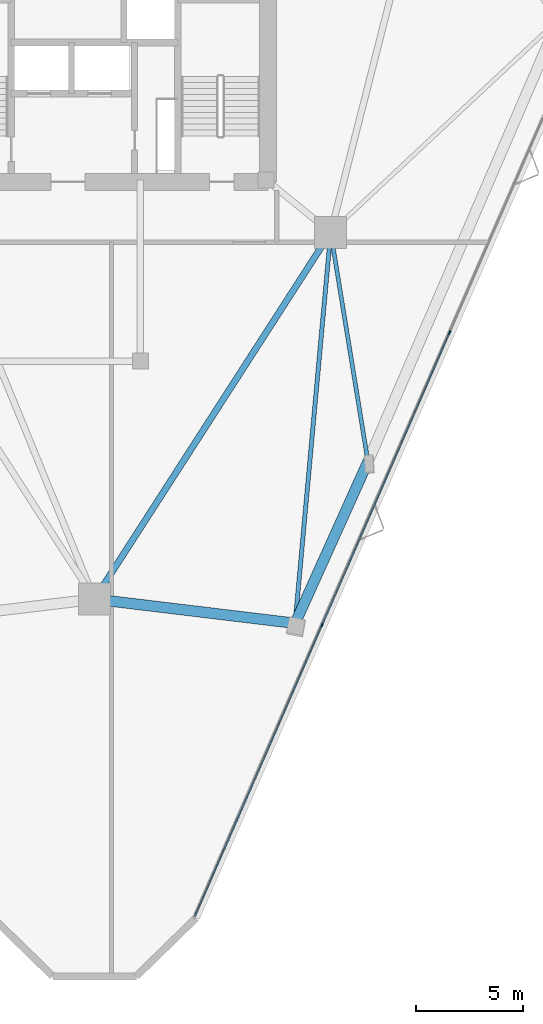
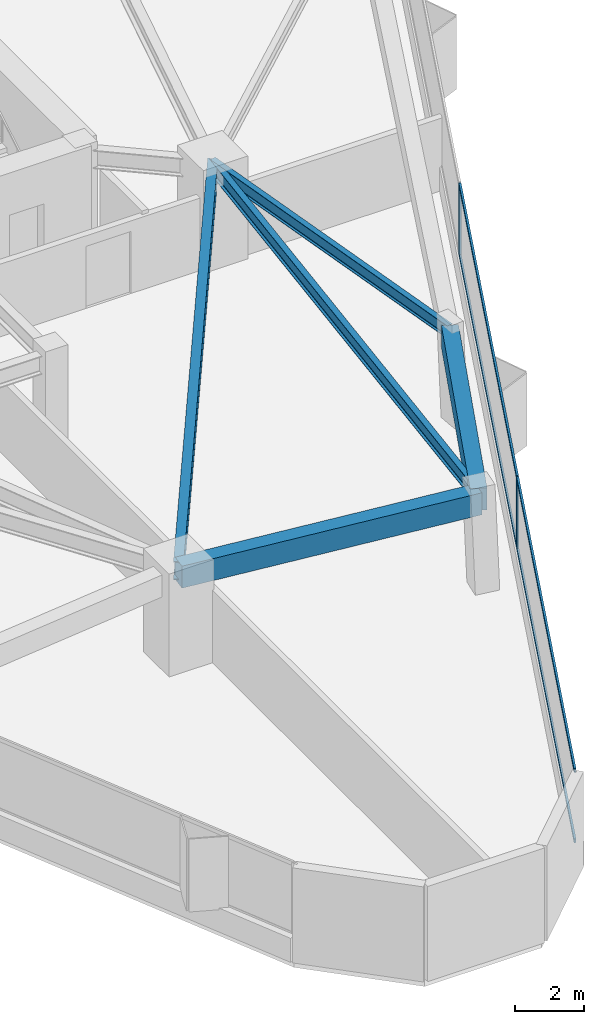
# One storey, part 3 of 14: 6 members, 5 beams, 1 element without a shape of its own.
"""IFC4 building model written with IfcOpenShell, lengths in metres."""

from ifc_helpers import new_model, si_unit, direction, frame, origin, origin_2d, place, context, subcontext, project, spatial, rectangle, i_section, extrude, material, layer, layer_set, material_profile, profile_set, type_object, element, aggregate, save


model = new_model("IFC4")

# Units and contexts
model_context = context("Model", 3, precision=1e-05, world=origin(), true_north=direction((0.0, 1.0)))
body_context = subcontext(model_context, "Body", "Model", "MODEL_VIEW")
ifc_project = project(units=[si_unit("LENGTHUNIT", "METRE"), si_unit("AREAUNIT", "SQUARE_METRE"), si_unit("VOLUMEUNIT", "CUBIC_METRE"), si_unit("PLANEANGLEUNIT", "RADIAN"), si_unit("MASSUNIT", "GRAM", prefix="KILO")], contexts=[model_context])

# Site, building, storey
site_placement = place(None, origin())
site = spatial("IfcSite", under=ifc_project, at=site_placement, CompositionType="ELEMENT")
building_placement = place(site_placement, origin())
building = spatial("IfcBuilding", under=site, at=building_placement, Name="Talyreon Biosciences Tower", CompositionType="ELEMENT")
storey_placement = place(building_placement, frame((0.0, 0.0, 138.14990234375)))
storey = spatial("IfcBuildingStorey", under=building, at=storey_placement, Name="L36", CompositionType="ELEMENT", Elevation=138.14990234375)

# Curtain wall, members
ifc_material_1 = material(Name="Thermally broken aluminium and low-E glazing", Category="aluminium")
ifc_layer = layer(ifc_material_1, 0.18505859375)
ifc_layer_set = layer_set([ifc_layer], Name="Thermally broken aluminium and low-E glazing")
curtain_wall_type = type_object("IfcCurtainWallType", Name="CurtainWall_Zone3Bioprocess", PredefinedType="NOTDEFINED", material=ifc_layer_set)
curtain_wall_placement = place(storey_placement, origin())
curtain_wall = element("IfcCurtainWall", 1, at=curtain_wall_placement, inside=storey, type_object=curtain_wall_type, Name="L36 Unitised Curtain Wall FCW-L36-08", PredefinedType="NOTDEFINED")
ifc_material_2 = material(Name="Anodised thermally broken aluminium", Category="aluminium")
ifc_material_profile_1 = material_profile(ifc_material_2, rectangle(XDim=0.06494140625, YDim=0.179931640625, at=origin_2d()), Name="ALUM MULLION 65x180")
ifc_profile_set_1 = profile_set([ifc_material_profile_1], Name="Anodised thermally broken aluminium")
member_type_1 = type_object("IfcMemberType", Name="CWMullion_65x180", PredefinedType="MULLION", material=ifc_profile_set_1)
member_1_placement = place(storey_placement, frame((82.671630859375, 54.18212890625, 0.81005859375), z_axis=(0.0, 0.0, 1.0), x_axis=(0.916566441856, -0.399882429801, 0.0)))
member_1 = element("IfcMember", 2, at=member_1_placement, type_object=member_type_1, Name="CW4 mullion 3", PredefinedType="MULLION", context=body_context, shape_type="SweptSolid", body=[
    extrude(rectangle(XDim=0.06494140625, YDim=0.179931640625, at=origin_2d()), origin(), (0.0, 0.0, 1.0), 2.56494140625),
])
member_2_placement = place(storey_placement, frame((76.68212890625, 40.453857421875, 0.81005859375), z_axis=(0.0, 0.0, 1.0), x_axis=(0.916566441856, -0.399882429801, 0.0)))
member_2 = element("IfcMember", 3, at=member_2_placement, type_object=member_type_1, Name="CW4 mullion 4", PredefinedType="MULLION", context=body_context, shape_type="SweptSolid", body=[
    extrude(rectangle(XDim=0.06494140625, YDim=0.179931640625, at=origin_2d()), origin(), (0.0, 0.0, 1.0), 2.56494140625),
])
ifc_material_profile_2 = material_profile(ifc_material_2, rectangle(XDim=0.06494140625, YDim=0.139892578125, at=origin_2d()), Name="ALUM TRANSOM 65x140")
ifc_profile_set_2 = profile_set([ifc_material_profile_2], Name="Anodised thermally broken aluminium")
member_type_2 = type_object("IfcMemberType", Name="CWTransom_65x140", PredefinedType="USERDEFINED", material=ifc_profile_set_2)
member_3_placement = place(storey_placement, frame((82.65869140625, 54.15234375, 0.842529296875), z_axis=(-0.399879943614, -0.916567526533, 0.0), x_axis=(0.916567526533, -0.399879943614, 0.0)))
member_3 = element("IfcMember", 4, at=member_3_placement, type_object=member_type_2, Name="CW4 transom 3.1", ObjectType="TRANSOM", PredefinedType="USERDEFINED", context=body_context, shape_type="SweptSolid", body=[
    extrude(rectangle(XDim=0.06494140625, YDim=0.139892578125, at=origin_2d()), origin(), (0.0, 0.0, 1.0), 14.912841796875),
])
member_4_placement = place(storey_placement, frame((82.65869140625, 54.15234375, 3.342529296875), z_axis=(-0.399879943614, -0.916567526533, 0.0), x_axis=(0.916567526533, -0.399879943614, 0.0)))
member_4 = element("IfcMember", 5, at=member_4_placement, type_object=member_type_2, Name="CW4 transom 3.2", ObjectType="TRANSOM", PredefinedType="USERDEFINED", context=body_context, shape_type="SweptSolid", body=[
    extrude(rectangle(XDim=0.06494140625, YDim=0.139892578125, at=origin_2d()), origin(), (0.0, 0.0, 1.0), 14.912841796875),
])
member_5_placement = place(storey_placement, frame((76.669189453125, 40.424072265625, 0.842529296875), z_axis=(-0.39988306059, -0.916566166653, 0.0), x_axis=(0.916566166653, -0.39988306059, 0.0)))
member_5 = element("IfcMember", 6, at=member_5_placement, type_object=member_type_2, Name="CW4 transom 4.1", ObjectType="TRANSOM", PredefinedType="USERDEFINED", context=body_context, shape_type="SweptSolid", body=[
    extrude(rectangle(XDim=0.06494140625, YDim=0.139892578125, at=origin_2d()), origin(), (0.0, 0.0, 1.0), 14.88037109375),
])
member_6_placement = place(storey_placement, frame((76.669189453125, 40.424072265625, 3.342529296875), z_axis=(-0.39988306059, -0.916566166653, 0.0), x_axis=(0.916566166653, -0.39988306059, 0.0)))
member_6 = element("IfcMember", 7, at=member_6_placement, type_object=member_type_2, Name="CW4 transom 4.2", ObjectType="TRANSOM", PredefinedType="USERDEFINED", context=body_context, shape_type="SweptSolid", body=[
    extrude(rectangle(XDim=0.06494140625, YDim=0.139892578125, at=origin_2d()), origin(), (0.0, 0.0, 1.0), 14.88037109375),
])
aggregate(curtain_wall, [member_1, member_2, member_3, member_4, member_5, member_6])

# Beams
ifc_material_3 = material(Name="Precast concrete C45/55", Category="concrete")
ifc_material_profile_3 = material_profile(ifc_material_3, rectangle(XDim=0.5, YDim=0.780029296875, at=origin_2d()), Name="RCB 500x780")
ifc_profile_set_3 = profile_set([ifc_material_profile_3], Name="Precast concrete C45/55")
beam_type_1 = type_object("IfcBeamType", Name="ExpressedSpandrel_500x780", PredefinedType="SPANDREL", material=ifc_profile_set_3)
beam_1_placement = place(storey_placement, frame((66.0, 41.6669921875, 2.985107421875), z_axis=(0.992808224739, -0.11971561674, 0.0), x_axis=(0.11971561674, 0.992808224739, 0.0)))
element("IfcBeam", 8, at=beam_1_placement, inside=storey, type_object=beam_type_1, Name="L36 Expressed Horizontal Concrete Spandrel 01", PredefinedType="SPANDREL", context=body_context, shape_type="SweptSolid", body=[
    extrude(rectangle(XDim=0.5, YDim=0.780029296875, at=origin_2d()), origin(), (0.0, 0.0, 1.0), 9.48486328125),
])
beam_2_placement = place(storey_placement, frame((75.416748046875, 40.531494140625, 2.985107421875), z_axis=(0.410819541756, 0.911716679737, 0.0), x_axis=(-0.911716679737, 0.410819541756, 0.0)))
element("IfcBeam", 9, at=beam_2_placement, inside=storey, type_object=beam_type_1, Name="L36 Expressed Horizontal Concrete Spandrel 02", PredefinedType="SPANDREL", context=body_context, shape_type="SweptSolid", body=[
    extrude(rectangle(XDim=0.5, YDim=0.780029296875, at=origin_2d()), origin(), (0.0, 0.0, 1.0), 8.323486328125),
])
ifc_material_4 = material(Name="Steel SM355", Category="steel")
ifc_material_profile_4 = material_profile(ifc_material_4, i_section(OverallWidth=0.300048828125, OverallDepth=0.64990234375, WebThickness=0.01611328125, FlangeThickness=0.031005859375, FilletRadius=0.027099609375, at=origin_2d()), Name="HE650B")
ifc_profile_set_4 = profile_set([ifc_material_profile_4], Name="Steel SM355")
beam_type_2 = type_object("IfcBeamType", Name="SteelBeam_HE650B", PredefinedType="BEAM", material=ifc_profile_set_4)
beam_3_placement = place(storey_placement, frame((66.0, 41.6669921875, 3.050048828125), z_axis=(0.541463723609, 0.840724114092, 0.0), x_axis=(-0.840724114092, 0.541463723609, 0.0)))
element("IfcBeam", 10, at=beam_3_placement, inside=storey, type_object=beam_type_2, Name="L36 Mega-Ring Girder 1", PredefinedType="BEAM", context=body_context, shape_type="SweptSolid", body=[
    extrude(i_section(OverallWidth=0.300048828125, OverallDepth=0.64990234375, WebThickness=0.01611328125, FlangeThickness=0.031005859375, FilletRadius=0.027099609375, at=origin_2d()), origin(), (0.0, 0.0, 1.0), 20.474365234375),
])
ifc_material_profile_5 = material_profile(ifc_material_4, i_section(OverallWidth=0.18994140625, OverallDepth=0.449951171875, WebThickness=0.009521484375, FlangeThickness=0.0146484375, FilletRadius=0.02099609375, at=origin_2d()), Name="IPE450")
ifc_profile_set_5 = profile_set([ifc_material_profile_5], Name="Steel SM355")
beam_type_3 = type_object("IfcBeamType", Name="SteelJoist_IPE450", PredefinedType="JOIST", material=ifc_profile_set_5)
beam_4_placement = place(storey_placement, frame((77.086181640625, 58.88037109375, 3.150146484375), z_axis=(0.160526434831, -0.987031541401, 0.0), x_axis=(0.987031541401, 0.160526434831, 0.0)))
element("IfcBeam", 11, at=beam_4_placement, inside=storey, type_object=beam_type_3, Name="L36 Radial Composite Floor Joist PL-SE", PredefinedType="JOIST", context=body_context, shape_type="SweptSolid", body=[
    extrude(i_section(OverallWidth=0.18994140625, OverallDepth=0.449951171875, WebThickness=0.009521484375, FlangeThickness=0.0146484375, FilletRadius=0.02099609375, at=origin_2d()), origin(), (0.0, 0.0, 1.0), 10.901611328125),
])
ifc_material_profile_6 = material_profile(ifc_material_4, i_section(OverallWidth=0.199951171875, OverallDepth=0.5, WebThickness=0.01025390625, FlangeThickness=0.01611328125, FilletRadius=0.02099609375, at=origin_2d()), Name="IPE500")
ifc_profile_set_6 = profile_set([ifc_material_profile_6], Name="Steel SM355")
beam_type_4 = type_object("IfcBeamType", Name="SteelJoist_IPE500", PredefinedType="JOIST", material=ifc_profile_set_6)
beam_5_placement = place(storey_placement, frame((77.086181640625, 58.88037109375, 3.125), z_axis=(-0.090608624922, -0.995886578426, 0.0), x_axis=(0.995886578426, -0.090608624922, 0.0)))
element("IfcBeam", 12, at=beam_5_placement, inside=storey, type_object=beam_type_4, Name="L36 Radial Composite Floor Joist PC-SE1", PredefinedType="JOIST", context=body_context, shape_type="SweptSolid", body=[
    extrude(i_section(OverallWidth=0.199951171875, OverallDepth=0.5, WebThickness=0.01025390625, FlangeThickness=0.01611328125, FilletRadius=0.02099609375, at=origin_2d()), origin(), (0.0, 0.0, 1.0), 18.424560546875),
])

save(model, "model.ifc")
